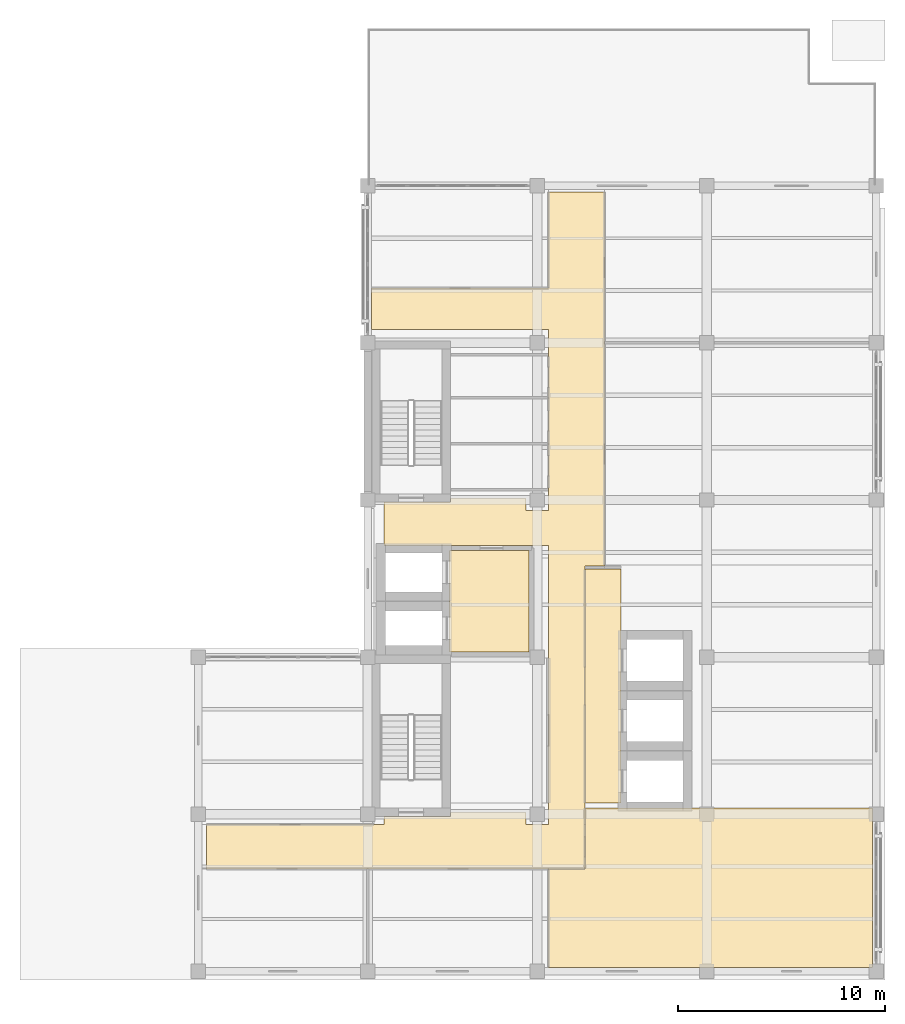
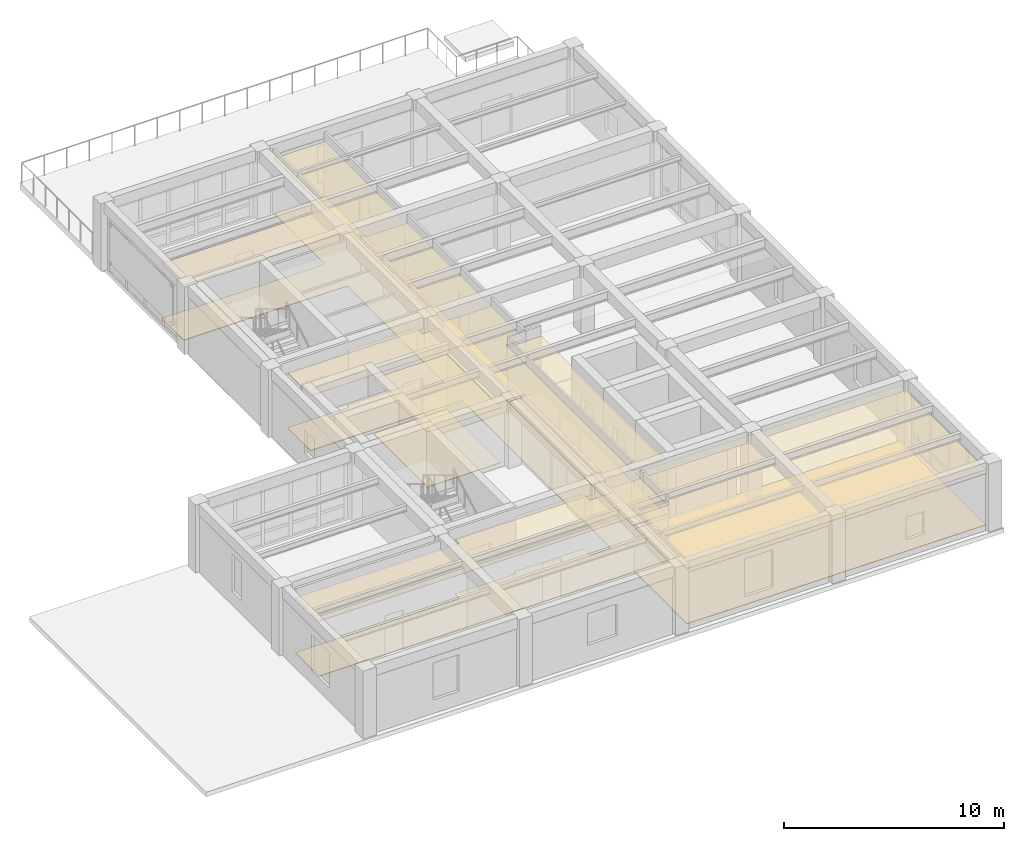
# One storey, part 10 of 11: 8 coverings.
"""IFC4 building model written with IfcOpenShell, lengths in metres."""

import ifcopenshell
import ifcopenshell.guid

model = None  # the IFC model being written
_history = None  # IfcOwnerHistory: only IFC2X3 demands one
_inside = {}  # id of a spatial element -> (the spatial element, [elements in it])
_under = {}  # id of a project, library or spatial element -> (it, [spatial elements below it])
_declared = {}  # id of a project -> (the project, [libraries it declares])
_typed = {}  # id of a type object -> (the type object, [elements of that type])
_made_of = {}  # id of a material, layer set ... -> (it, [elements and type objects made of it])


def new_model(schema):
    """Start an empty IFC model of exactly this schema.

    Asked for "IFC4X3", IfcOpenShell would pick the latest addendum, in which some entities
    have other attributes; the version numbers below select the first issue.
    IFC2X3 requires an IfcOwnerHistory on every rooted entity: one is made here for all.
    """
    global model, _history
    if schema == "IFC4X3":
        model = ifcopenshell.file(schema_version=(4, 3, 0, 0))
    else:
        model = ifcopenshell.file(schema=schema)
    _inside.clear()
    _under.clear()
    _declared.clear()
    _typed.clear()
    _made_of.clear()
    _history = None
    if model.schema == "IFC2X3":
        org = make("IfcOrganization", Name="unknown")
        user = make(
            "IfcPersonAndOrganization",
            ThePerson=make("IfcPerson", FamilyName="unknown"),
            TheOrganization=org,
        )
        app = make(
            "IfcApplication",
            ApplicationDeveloper=org,
            Version="unknown",
            ApplicationFullName="unknown",
            ApplicationIdentifier="unknown",
        )
        _history = make(
            "IfcOwnerHistory",
            OwningUser=user,
            OwningApplication=app,
            ChangeAction="ADDED",
            CreationDate=0,
        )
    return model


def make(cls, **values):
    """One entity of the class cls with the attributes given. An attribute that is None is left unset."""
    return model.create_entity(
        cls, **{name: value for name, value in values.items() if value is not None}
    )


def rooted(cls, **values):
    """An entity with a GlobalId (a new one), such as an element, a storey or a relation."""
    return make(cls, GlobalId=ifcopenshell.guid.new(), OwnerHistory=_history, **values)


def si_unit(unit_type, name, prefix=None):
    """IfcSIUnit, for example si_unit("LENGTHUNIT", "METRE", prefix="MILLI")."""
    return make("IfcSIUnit", UnitType=unit_type, Prefix=prefix, Name=name)


def assignment(units):
    """IfcUnitAssignment: the units of a project."""
    return None if units is None else make("IfcUnitAssignment", Units=units)


def point(xyz):
    """IfcCartesianPoint."""
    return None if xyz is None else make("IfcCartesianPoint", Coordinates=xyz)


def direction(xyz):
    """IfcDirection."""
    return None if xyz is None else make("IfcDirection", DirectionRatios=xyz)


def frame(location, z_axis=None, x_axis=None):
    """IfcAxis2Placement3D, a coordinate frame: its origin and axes. An axis left out is left unset."""
    return make(
        "IfcAxis2Placement3D",
        Location=point(location),
        Axis=direction(z_axis),
        RefDirection=direction(x_axis),
    )


def origin():
    """The frame at (0, 0, 0) with its axes left unset."""
    return frame((0.0, 0.0, 0.0))


def place(relative_to, where):
    """IfcLocalPlacement: puts the frame where relative to a parent placement (None: the world)."""
    return make(
        "IfcLocalPlacement", PlacementRelTo=relative_to, RelativePlacement=where
    )


def context(
    kind, dimensions, precision=None, world=None, true_north=None, identifier=None
):
    """IfcGeometricRepresentationContext, for example the 3D "Model" context."""
    return make(
        "IfcGeometricRepresentationContext",
        ContextIdentifier=identifier,
        ContextType=kind,
        CoordinateSpaceDimension=dimensions,
        Precision=precision,
        WorldCoordinateSystem=world,
        TrueNorth=true_north,
    )


def subcontext(parent, identifier, kind, view, scale=None):
    """IfcGeometricRepresentationSubContext, for example "Body" below "Model"."""
    return make(
        "IfcGeometricRepresentationSubContext",
        ContextIdentifier=identifier,
        ContextType=kind,
        ParentContext=parent,
        TargetScale=scale,
        TargetView=view,
    )


def project(units=None, contexts=None):
    """IfcProject with its units and contexts."""
    return rooted(
        "IfcProject",
        Name="project",
        RepresentationContexts=contexts,
        UnitsInContext=assignment(units),
    )


def spatial(cls, under=None, at=None, **own):
    """A site, building, storey or space (cls), placed at a placement, below another one or the project."""
    s = rooted(cls, ObjectPlacement=at, **own)
    if under is not None:
        _under.setdefault(under.id(), (under, []))[1].append(s)
    return s


def polyline(points):
    """IfcPolyline through the points."""
    return make("IfcPolyline", Points=[point(p) for p in points])


def outline(outer, holes=None, kind="AREA"):
    """IfcArbitraryClosedProfileDef: a profile drawn as a closed curve; with holes, ...WithVoids."""
    if holes is None:
        return make("IfcArbitraryClosedProfileDef", ProfileType=kind, OuterCurve=outer)
    return make(
        "IfcArbitraryProfileDefWithVoids",
        ProfileType=kind,
        OuterCurve=outer,
        InnerCurves=holes,
    )


def extrude(swept, where, along, depth):
    """IfcExtrudedAreaSolid: the profile swept, set in the frame where, extruded along a direction by depth."""
    return make(
        "IfcExtrudedAreaSolid",
        SweptArea=swept,
        Position=where,
        ExtrudedDirection=direction(along),
        Depth=depth,
    )


def shape(context_of_items, identifier, shape_type, items):
    """IfcShapeRepresentation: the items that make up one representation, for example the "Body"."""
    return make(
        "IfcShapeRepresentation",
        ContextOfItems=context_of_items,
        RepresentationIdentifier=identifier,
        RepresentationType=shape_type,
        Items=items,
    )


def material(Name=None, Category=None):
    """IfcMaterial."""
    return make("IfcMaterial", Name=Name, Category=Category)


def layer(
    of_material, thickness, ventilated=None, Name=None, Category=None, Priority=None
):
    """IfcMaterialLayer: one layer of a wall or slab, of a material (None: an air gap)."""
    return make(
        "IfcMaterialLayer",
        Material=of_material,
        LayerThickness=thickness,
        IsVentilated=ventilated,
        Name=Name,
        Category=Category,
        Priority=Priority,
    )


def layer_set(layers, Name=None):
    """IfcMaterialLayerSet."""
    return make("IfcMaterialLayerSet", MaterialLayers=layers, LayerSetName=Name)


def made_of(thing, what):
    """Note that an element or type object is made of a material, layer set ...; save() writes the relation."""
    if what is not None:
        _made_of.setdefault(what.id(), (what, []))[1].append(thing)
    return thing


def type_object(cls, material=None, **own):
    """A type object (cls), such as IfcWallType, which elements share."""
    return made_of(rooted(cls, **own), material)


def element(
    cls,
    number,
    at=None,
    inside=None,
    cuts=None,
    type_object=None,
    material=None,
    context=None,
    identifier="Body",
    shape_type=None,
    held_by="IfcProductDefinitionShape",
    body=None,
    shapes=None,
    **own,
):
    """One element of the class cls, such as IfcWall. Its Tag is "e" and its number.

    at: its placement. inside: the storey or other place that contains it. cuts: it is an
    opening in that element (IfcRelVoidsElement). A single representation is given by context,
    identifier, shape_type and body (its items); several are given by shapes. held_by: the class
    of the entity that holds the representations. save() writes the other relations.
    """
    e = rooted(cls, Tag="e%d" % number, ObjectPlacement=at, **own)
    if body is not None:
        shapes = [shape(context, identifier, shape_type, body)]
    if shapes is not None:
        e.Representation = make(held_by, Representations=shapes)
    if inside is not None:
        _inside.setdefault(inside.id(), (inside, []))[1].append(e)
    if cuts is not None:
        rooted(
            "IfcRelVoidsElement", RelatingBuildingElement=cuts, RelatedOpeningElement=e
        )
    if type_object is not None:
        _typed.setdefault(type_object.id(), (type_object, []))[1].append(e)
    return made_of(e, material)


def aggregate(whole, parts):
    """IfcRelAggregates: a whole, such as a stair, and the parts it consists of."""
    return rooted("IfcRelAggregates", RelatingObject=whole, RelatedObjects=parts)


def save(model, path):
    """Write the relations noted so far, then the file.

    IfcRelAggregates (storeys below a building ...), IfcRelContainedInSpatialStructure (elements
    in a storey), IfcRelDefinesByType, IfcRelAssociatesMaterial and IfcRelDeclares: one each for
    every whole, place, type object, material and project.
    """
    for whole, parts in _under.values():
        aggregate(whole, parts)
    for where, things in _inside.values():
        rooted(
            "IfcRelContainedInSpatialStructure",
            RelatedElements=things,
            RelatingStructure=where,
        )
    for kind, things in _typed.values():
        rooted("IfcRelDefinesByType", RelatedObjects=things, RelatingType=kind)
    for what, things in _made_of.values():
        rooted("IfcRelAssociatesMaterial", RelatedObjects=things, RelatingMaterial=what)
    for by, libraries in _declared.values():
        rooted("IfcRelDeclares", RelatingContext=by, RelatedDefinitions=libraries)
    model.write(path)


model = new_model("IFC4")

# Units and contexts
model_context = context("Model", 3, precision=1e-05, world=origin(), true_north=direction((0.0, 1.0)))
body_context = subcontext(model_context, "Body", "Model", "MODEL_VIEW")
ifc_project = project(units=[si_unit("LENGTHUNIT", "METRE"), si_unit("AREAUNIT", "SQUARE_METRE"), si_unit("VOLUMEUNIT", "CUBIC_METRE"), si_unit("PLANEANGLEUNIT", "RADIAN"), si_unit("MASSUNIT", "GRAM", prefix="KILO")], contexts=[model_context])

# Site, building, storey
site_placement = place(None, origin())
site = spatial("IfcSite", under=ifc_project, at=site_placement, CompositionType="ELEMENT")
building_placement = place(site_placement, origin())
building = spatial("IfcBuilding", under=site, at=building_placement, Name="Qandaris Square Conservatory and Botanical Centre", CompositionType="ELEMENT")
storey_placement = place(building_placement, frame((0.0, 0.0, 66.199951171875)))
storey = spatial("IfcBuildingStorey", under=building, at=storey_placement, Name="L15", CompositionType="ELEMENT", Elevation=66.199951171875)

# Coverings
ifc_material_1 = material(Name="Honed Qatari Limestone", Category="masonry")
ifc_layer_1 = layer(ifc_material_1, 0.030029296875)
ifc_layer_set_1 = layer_set([ifc_layer_1], Name="Honed Qatari Limestone")
covering_type_1 = type_object("IfcCoveringType", Name="Honed Qatari Limestone Concourse Paving", PredefinedType="FLOORING", material=ifc_layer_set_1)
covering_1_placement = place(storey_placement, origin())
element("IfcCovering", 1, at=covering_1_placement, inside=storey, type_object=covering_type_1, Name="Firefighting Lift Lobby L15 Flooring", PredefinedType="FLOORING", context=body_context, shape_type="SweptSolid", body=[
    extrude(outline(polyline([(143.14990234375, 36.949951171875), (147.0, 36.949951171875), (147.0, 32.050048828125), (143.14990234375, 32.050048828125), (143.14990234375, 36.949951171875)])), origin(), (0.0, 0.0, 1.0), 0.030029296875),
])
covering_2_placement = place(storey_placement, origin())
element("IfcCovering", 2, at=covering_2_placement, inside=storey, type_object=covering_type_1, Name="Passenger Lift Lobby L15 Flooring", PredefinedType="FLOORING", context=body_context, shape_type="SweptSolid", body=[
    extrude(outline(polyline([(149.699951171875, 36.050048828125), (151.449951171875, 36.050048828125), (151.449951171875, 24.75), (149.699951171875, 24.75), (149.699951171875, 36.050048828125)])), origin(), (0.0, 0.0, 1.0), 0.030029296875),
])
covering_3_placement = place(storey_placement, origin())
element("IfcCovering", 3, at=covering_3_placement, inside=storey, type_object=covering_type_1, Name="Main Circulation Corridor L15 Flooring", PredefinedType="FLOORING", context=body_context, shape_type="SweptSolid", body=[
    extrude(outline(polyline([(140.0, 24.10009765625), (143.199951171875, 24.10009765625), (143.199951171875, 24.280029296875), (146.85009765625, 24.280029296875), (146.85009765625, 23.699951171875), (147.949951171875, 23.699951171875), (147.949951171875, 24.75), (147.949951171875, 31.75), (147.949951171875, 36.199951171875), (147.949951171875, 37.199951171875), (140.0, 37.199951171875), (140.0, 38.89990234375), (140.0, 39.300048828125), (143.199951171875, 39.300048828125), (143.199951171875, 39.47998046875), (146.85009765625, 39.47998046875), (146.85009765625, 38.89990234375), (147.949951171875, 38.89990234375), (147.949951171875, 39.89990234375), (147.949951171875, 42.1201171875), (147.949951171875, 44.340087890625), (147.949951171875, 46.419921875), (147.949951171875, 47.64990234375), (139.3798828125, 47.64990234375), (139.3798828125, 49.64990234375), (147.949951171875, 49.64990234375), (147.949951171875, 54.300048828125), (150.64990234375, 54.300048828125), (150.64990234375, 36.199951171875), (149.699951171875, 36.199951171875), (149.699951171875, 36.050048828125), (149.699951171875, 24.75), (149.699951171875, 23.699951171875), (149.699951171875, 21.550048828125), (147.949951171875, 21.550048828125), (131.39990234375, 21.550048828125), (131.39990234375, 23.699951171875), (140.0, 23.699951171875), (140.0, 24.10009765625)])), origin(), (0.0, 0.0, 1.0), 0.030029296875),
])
covering_4_placement = place(storey_placement, origin())
element("IfcCovering", 4, at=covering_4_placement, inside=storey, type_object=covering_type_1, Name="Floor L15 Instrument and Balance Room Flooring", PredefinedType="FLOORING", context=body_context, shape_type="SweptSolid", body=[
    extrude(outline(polyline([(149.699951171875, 24.5), (163.6201171875, 24.5), (163.6201171875, 16.780029296875), (147.949951171875, 16.780029296875), (147.949951171875, 21.550048828125), (149.699951171875, 21.550048828125), (149.699951171875, 23.699951171875), (149.699951171875, 24.5)])), origin(), (0.0, 0.0, 1.0), 0.030029296875),
])
ifc_material_2 = material(Name="Gypsum Plasterboard", Category="gypsum")
ifc_layer_2 = layer(ifc_material_2, 0.02490234375)
ifc_layer_set_2 = layer_set([ifc_layer_2], Name="Gypsum Plasterboard")
covering_type_2 = type_object("IfcCoveringType", Name="Perforated Acoustic Lab Ceiling Tile", PredefinedType="CEILING", material=ifc_layer_set_2)
covering_5_placement = place(storey_placement, frame((0.0, 0.0, 3.050048828125)))
element("IfcCovering", 5, at=covering_5_placement, inside=storey, type_object=covering_type_2, Name="Firefighting Lift Lobby L15 Ceiling", PredefinedType="CEILING", context=body_context, shape_type="SweptSolid", body=[
    extrude(outline(polyline([(143.14990234375, 36.949951171875), (147.0, 36.949951171875), (147.0, 32.050048828125), (143.14990234375, 32.050048828125), (143.14990234375, 36.949951171875)])), origin(), (0.0, 0.0, 1.0), 0.02490234375),
])
covering_6_placement = place(storey_placement, frame((0.0, 0.0, 3.050048828125)))
element("IfcCovering", 6, at=covering_6_placement, inside=storey, type_object=covering_type_2, Name="Passenger Lift Lobby L15 Ceiling", PredefinedType="CEILING", context=body_context, shape_type="SweptSolid", body=[
    extrude(outline(polyline([(149.699951171875, 36.050048828125), (151.449951171875, 36.050048828125), (151.449951171875, 24.75), (149.699951171875, 24.75), (149.699951171875, 36.050048828125)])), origin(), (0.0, 0.0, 1.0), 0.02490234375),
])
covering_7_placement = place(storey_placement, frame((0.0, 0.0, 3.050048828125)))
element("IfcCovering", 7, at=covering_7_placement, inside=storey, type_object=covering_type_2, Name="Main Circulation Corridor L15 Ceiling", PredefinedType="CEILING", context=body_context, shape_type="SweptSolid", body=[
    extrude(outline(polyline([(140.0, 24.10009765625), (143.199951171875, 24.10009765625), (143.199951171875, 24.280029296875), (146.85009765625, 24.280029296875), (146.85009765625, 23.699951171875), (147.949951171875, 23.699951171875), (147.949951171875, 24.75), (147.949951171875, 31.75), (147.949951171875, 36.199951171875), (147.949951171875, 37.199951171875), (140.0, 37.199951171875), (140.0, 38.89990234375), (140.0, 39.300048828125), (143.199951171875, 39.300048828125), (143.199951171875, 39.47998046875), (146.85009765625, 39.47998046875), (146.85009765625, 38.89990234375), (147.949951171875, 38.89990234375), (147.949951171875, 39.89990234375), (147.949951171875, 42.1201171875), (147.949951171875, 44.340087890625), (147.949951171875, 46.419921875), (147.949951171875, 47.64990234375), (139.3798828125, 47.64990234375), (139.3798828125, 49.64990234375), (147.949951171875, 49.64990234375), (147.949951171875, 54.300048828125), (150.64990234375, 54.300048828125), (150.64990234375, 36.199951171875), (149.699951171875, 36.199951171875), (149.699951171875, 36.050048828125), (149.699951171875, 24.75), (149.699951171875, 23.699951171875), (149.699951171875, 21.550048828125), (147.949951171875, 21.550048828125), (131.39990234375, 21.550048828125), (131.39990234375, 23.699951171875), (140.0, 23.699951171875), (140.0, 24.10009765625)])), origin(), (0.0, 0.0, 1.0), 0.02490234375),
])
ifc_material_3 = material(Name="Engineered Oak Timber", Category="wood")
ifc_layer_3 = layer(ifc_material_3, 0.0400390625)
ifc_layer_set_3 = layer_set([ifc_layer_3], Name="Engineered Oak Timber")
covering_type_3 = type_object("IfcCoveringType", Name="Slatted Oak Acoustic Gallery Ceiling", PredefinedType="CEILING", material=ifc_layer_set_3)
covering_8_placement = place(storey_placement, frame((0.0, 0.0, 3.050048828125)))
element("IfcCovering", 8, at=covering_8_placement, inside=storey, type_object=covering_type_3, Name="Floor L15 Instrument and Balance Room Ceiling", PredefinedType="CEILING", context=body_context, shape_type="SweptSolid", body=[
    extrude(outline(polyline([(149.699951171875, 24.5), (163.6201171875, 24.5), (163.6201171875, 16.780029296875), (147.949951171875, 16.780029296875), (147.949951171875, 21.550048828125), (149.699951171875, 21.550048828125), (149.699951171875, 23.699951171875), (149.699951171875, 24.5)])), origin(), (0.0, 0.0, 1.0), 0.0400390625),
])

save(model, "model.ifc")
